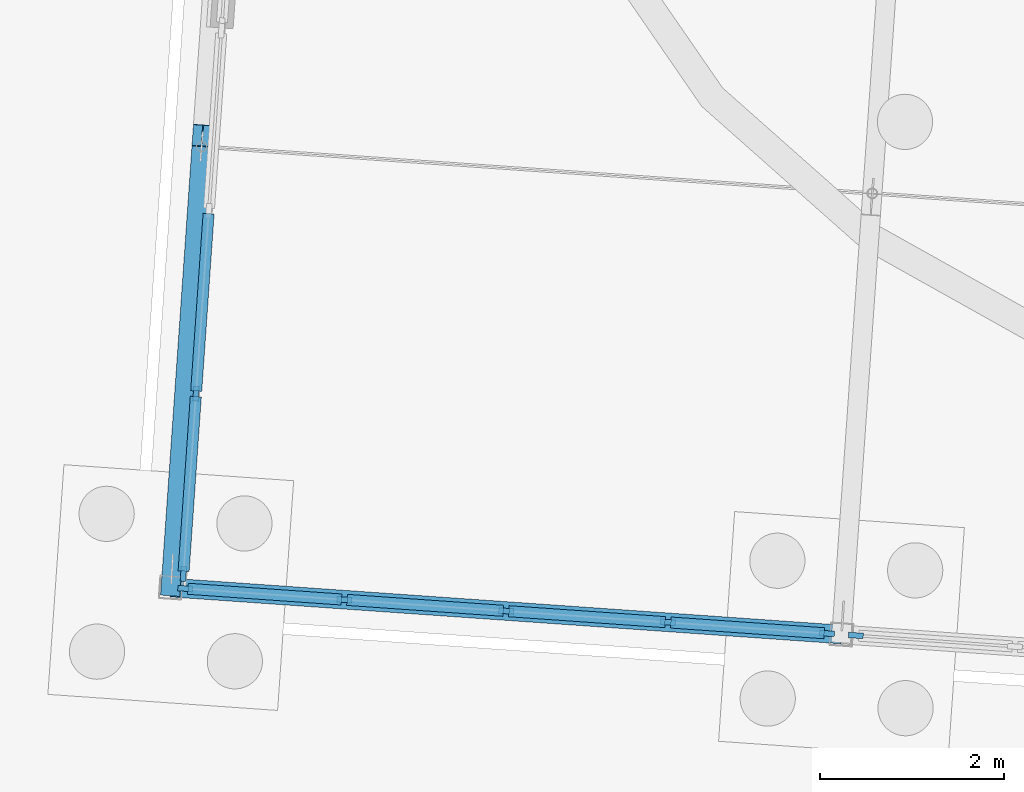
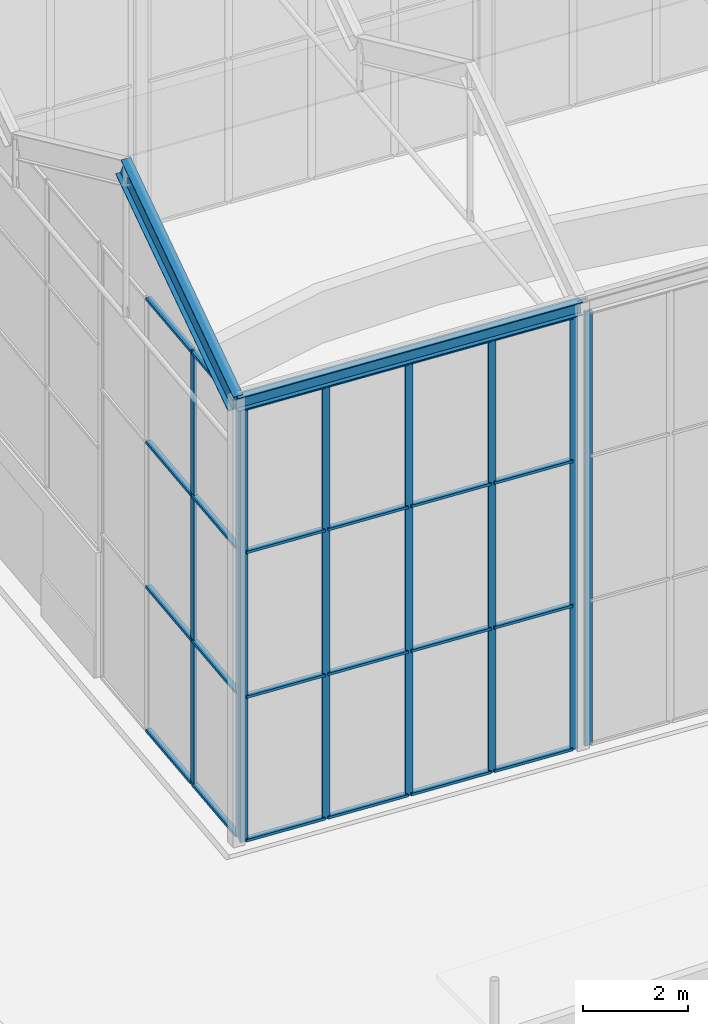
# One storey, part 35 of 157: 33 members, 1 beam, 3 elements without a shape of their own.
"""IFC4 building model written with IfcOpenShell, lengths in metres."""

from ifc_helpers import new_model, si_unit, direction, frame, origin, origin_2d, place, context, subcontext, project, spatial, rectangle, i_section, extrude, material, material_profile, profile_set, type_object, element, aggregate, save


model = new_model("IFC4")

# Units and contexts
model_context = context("Model", 3, precision=1e-05, world=origin(), true_north=direction((0.0, 1.0)))
body_context = subcontext(model_context, "Body", "Model", "MODEL_VIEW")
ifc_project = project(units=[si_unit("LENGTHUNIT", "METRE"), si_unit("AREAUNIT", "SQUARE_METRE"), si_unit("VOLUMEUNIT", "CUBIC_METRE"), si_unit("PLANEANGLEUNIT", "RADIAN"), si_unit("MASSUNIT", "GRAM", prefix="KILO")], contexts=[model_context])

# Site, building, storey
site_placement = place(None, origin())
site = spatial("IfcSite", under=ifc_project, at=site_placement, CompositionType="ELEMENT")
building_placement = place(site_placement, origin())
building = spatial("IfcBuilding", under=site, at=building_placement, Name="Windward Yard Aquatics Centre", CompositionType="ELEMENT")
storey_placement = place(building_placement, origin())
storey = spatial("IfcBuildingStorey", under=building, at=storey_placement, Name="L00", CompositionType="ELEMENT", Elevation=0.0)

# Curtain wall, members
ifc_material_1 = material(Name="Aluminium curtain wall system", Category="aluminium")
curtain_wall_type = type_object("IfcCurtainWallType", Name="W curtain wall 1900", PredefinedType="NOTDEFINED", material=ifc_material_1)
curtain_wall_1_placement = place(storey_placement, origin())
curtain_wall_1 = element("IfcCurtainWall", 1, at=curtain_wall_1_placement, inside=storey, type_object=curtain_wall_type, Name="Wing south glazing L00 4", PredefinedType="NOTDEFINED")
ifc_material_2 = material(Name="Aluminium mullion", Category="aluminium")
ifc_material_profile_1 = material_profile(ifc_material_2, rectangle(XDim=0.06005859375, YDim=0.159912109375, at=origin_2d()), Name="AL 60x160")
ifc_profile_set_1 = profile_set([ifc_material_profile_1], Name="Aluminium mullion")
member_type_1 = type_object("IfcMemberType", Name="W CW mullion 60x160", PredefinedType="MULLION", material=ifc_profile_set_1)
member_1_placement = place(storey_placement, frame((72.0078125, 119.372314453125, 0.0), z_axis=(0.0, 0.0, 1.0), x_axis=(0.069756251182, 0.997564065823, 0.0)))
member_1 = element("IfcMember", 2, at=member_1_placement, type_object=member_type_1, Name="WCW1 mullion 1", PredefinedType="MULLION", context=body_context, shape_type="SweptSolid", body=[
    extrude(rectangle(XDim=0.06005859375, YDim=0.159912109375, at=origin_2d()), origin(), (0.0, 0.0, 1.0), 10.097900390625),
])
member_2_placement = place(storey_placement, frame((73.735107421875, 119.25146484375, 0.0), z_axis=(0.0, 0.0, 1.0), x_axis=(0.069756251182, 0.997564065823, 0.0)))
member_2 = element("IfcMember", 3, at=member_2_placement, type_object=member_type_1, Name="WCW1 mullion 2", PredefinedType="MULLION", context=body_context, shape_type="SweptSolid", body=[
    extrude(rectangle(XDim=0.06005859375, YDim=0.159912109375, at=origin_2d()), origin(), (0.0, 0.0, 1.0), 10.097900390625),
])
member_3_placement = place(storey_placement, frame((75.4921875, 119.128662109375, 0.0), z_axis=(0.0, 0.0, 1.0), x_axis=(0.069756251182, 0.997564065823, 0.0)))
member_3 = element("IfcMember", 4, at=member_3_placement, type_object=member_type_1, Name="WCW1 mullion 3", PredefinedType="MULLION", context=body_context, shape_type="SweptSolid", body=[
    extrude(rectangle(XDim=0.06005859375, YDim=0.159912109375, at=origin_2d()), origin(), (0.0, 0.0, 1.0), 10.097900390625),
])
member_4_placement = place(storey_placement, frame((77.24951171875, 119.005859375, 0.0), z_axis=(0.0, 0.0, 1.0), x_axis=(0.069756251182, 0.997564065823, 0.0)))
member_4 = element("IfcMember", 5, at=member_4_placement, type_object=member_type_1, Name="WCW1 mullion 4", PredefinedType="MULLION", context=body_context, shape_type="SweptSolid", body=[
    extrude(rectangle(XDim=0.06005859375, YDim=0.159912109375, at=origin_2d()), origin(), (0.0, 0.0, 1.0), 10.097900390625),
])
member_5_placement = place(storey_placement, frame((78.976806640625, 118.885009765625, 0.0), z_axis=(0.0, 0.0, 1.0), x_axis=(0.069756251182, 0.997564065823, 0.0)))
member_5 = element("IfcMember", 6, at=member_5_placement, type_object=member_type_1, Name="WCW1 mullion 5", PredefinedType="MULLION", context=body_context, shape_type="SweptSolid", body=[
    extrude(rectangle(XDim=0.06005859375, YDim=0.159912109375, at=origin_2d()), origin(), (0.0, 0.0, 1.0), 10.097900390625),
])

# Curtain wall, member
curtain_wall_2_placement = place(storey_placement, origin())
curtain_wall_2 = element("IfcCurtainWall", 7, at=curtain_wall_2_placement, inside=storey, type_object=curtain_wall_type, Name="Wing south glazing L00 5", PredefinedType="NOTDEFINED")
member_6_placement = place(storey_placement, frame((79.2900390625, 118.863037109375, 0.0), z_axis=(0.0, 0.0, 1.0), x_axis=(0.069756251182, 0.997564065823, 0.0)))
member_6 = element("IfcMember", 8, at=member_6_placement, type_object=member_type_1, Name="WCW1 mullion 1", PredefinedType="MULLION", context=body_context, shape_type="SweptSolid", body=[
    extrude(rectangle(XDim=0.06005859375, YDim=0.159912109375, at=origin_2d()), origin(), (0.0, 0.0, 1.0), 10.097900390625),
])
aggregate(curtain_wall_2, [member_6])

# Curtain wall, members
curtain_wall_3_placement = place(storey_placement, origin())
curtain_wall_3 = element("IfcCurtainWall", 9, at=curtain_wall_3_placement, inside=storey, type_object=curtain_wall_type, Name="Wing west glazing L00 1", PredefinedType="NOTDEFINED")
member_7_placement = place(storey_placement, frame((71.98876953125, 119.531005859375, 0.0), z_axis=(0.0, 0.0, 1.0), x_axis=(-0.997563571522, 0.069763319677, 0.0)))
member_7 = element("IfcMember", 10, at=member_7_placement, type_object=member_type_1, Name="WCW1 mullion 1", PredefinedType="MULLION", context=body_context, shape_type="SweptSolid", body=[
    extrude(rectangle(XDim=0.06005859375, YDim=0.159912109375, at=origin_2d()), origin(), (0.0, 0.0, 1.0), 10.097900390625),
])
member_8_placement = place(storey_placement, frame((72.12548828125, 121.4873046875, 0.0), z_axis=(0.0, 0.0, 1.0), x_axis=(-0.997563571522, 0.069763319677, 0.0)))
member_8 = element("IfcMember", 11, at=member_8_placement, type_object=member_type_1, Name="WCW1 mullion 2", PredefinedType="MULLION", context=body_context, shape_type="SweptSolid", body=[
    extrude(rectangle(XDim=0.06005859375, YDim=0.159912109375, at=origin_2d()), origin(), (0.0, 0.0, 1.0), 10.097900390625),
])

# Member
ifc_material_3 = material(Name="Aluminium transom", Category="aluminium")
ifc_material_profile_2 = material_profile(ifc_material_3, rectangle(XDim=0.1201171875, YDim=0.06005859375, at=origin_2d()), Name="AL 120x60")
ifc_profile_set_2 = profile_set([ifc_material_profile_2], Name="Aluminium transom")
member_type_2 = type_object("IfcMemberType", Name="W CW transom 120x60", PredefinedType="USERDEFINED", material=ifc_profile_set_2)
member_9_placement = place(storey_placement, frame((72.037841796875, 119.3701171875, 0.030029296875), z_axis=(0.997569436802, -0.069679399818, 0.0), x_axis=(0.069679399818, 0.997569436802, 0.0)))
member_9 = element("IfcMember", 12, at=member_9_placement, type_object=member_type_2, Name="WCW1 transom 1.1", ObjectType="TRANSOM", PredefinedType="USERDEFINED", context=body_context, shape_type="SweptSolid", body=[
    extrude(rectangle(XDim=0.1201171875, YDim=0.06005859375, at=origin_2d()), origin(), (0.0, 0.0, 1.0), 1.67138671875),
])

member_10_placement = place(storey_placement, frame((72.037841796875, 119.3701171875, 3.365966796875), z_axis=(0.997569436802, -0.069679399818, 0.0), x_axis=(0.069679399818, 0.997569436802, 0.0)))
member_10 = element("IfcMember", 13, at=member_10_placement, type_object=member_type_2, Name="WCW1 transom 1.2", ObjectType="TRANSOM", PredefinedType="USERDEFINED", context=body_context, shape_type="SweptSolid", body=[
    extrude(rectangle(XDim=0.1201171875, YDim=0.06005859375, at=origin_2d()), origin(), (0.0, 0.0, 1.0), 1.67138671875),
])

member_11_placement = place(storey_placement, frame((72.037841796875, 119.3701171875, 6.73193359375), z_axis=(0.997569436802, -0.069679399818, 0.0), x_axis=(0.069679399818, 0.997569436802, 0.0)))
member_11 = element("IfcMember", 14, at=member_11_placement, type_object=member_type_2, Name="WCW1 transom 1.3", ObjectType="TRANSOM", PredefinedType="USERDEFINED", context=body_context, shape_type="SweptSolid", body=[
    extrude(rectangle(XDim=0.1201171875, YDim=0.06005859375, at=origin_2d()), origin(), (0.0, 0.0, 1.0), 1.67138671875),
])

member_12_placement = place(storey_placement, frame((72.037841796875, 119.3701171875, 10.068115234375), z_axis=(0.997569436802, -0.069679399818, 0.0), x_axis=(0.069679399818, 0.997569436802, 0.0)))
member_12 = element("IfcMember", 15, at=member_12_placement, type_object=member_type_2, Name="WCW1 transom 1.4", ObjectType="TRANSOM", PredefinedType="USERDEFINED", context=body_context, shape_type="SweptSolid", body=[
    extrude(rectangle(XDim=0.1201171875, YDim=0.06005859375, at=origin_2d()), origin(), (0.0, 0.0, 1.0), 1.67138671875),
])

member_13_placement = place(storey_placement, frame((73.76513671875, 119.24951171875, 0.030029296875), z_axis=(0.997565360109, -0.069737739501, 0.0), x_axis=(0.069737739501, 0.997565360109, 0.0)))
member_13 = element("IfcMember", 16, at=member_13_placement, type_object=member_type_2, Name="WCW1 transom 2.1", ObjectType="TRANSOM", PredefinedType="USERDEFINED", context=body_context, shape_type="SweptSolid", body=[
    extrude(rectangle(XDim=0.1201171875, YDim=0.06005859375, at=origin_2d()), origin(), (0.0, 0.0, 1.0), 1.701416015625),
])

member_14_placement = place(storey_placement, frame((73.76513671875, 119.24951171875, 3.365966796875), z_axis=(0.997565360109, -0.069737739501, 0.0), x_axis=(0.069737739501, 0.997565360109, 0.0)))
member_14 = element("IfcMember", 17, at=member_14_placement, type_object=member_type_2, Name="WCW1 transom 2.2", ObjectType="TRANSOM", PredefinedType="USERDEFINED", context=body_context, shape_type="SweptSolid", body=[
    extrude(rectangle(XDim=0.1201171875, YDim=0.06005859375, at=origin_2d()), origin(), (0.0, 0.0, 1.0), 1.701416015625),
])

member_15_placement = place(storey_placement, frame((73.76513671875, 119.24951171875, 6.73193359375), z_axis=(0.997565360109, -0.069737739501, 0.0), x_axis=(0.069737739501, 0.997565360109, 0.0)))
member_15 = element("IfcMember", 18, at=member_15_placement, type_object=member_type_2, Name="WCW1 transom 2.3", ObjectType="TRANSOM", PredefinedType="USERDEFINED", context=body_context, shape_type="SweptSolid", body=[
    extrude(rectangle(XDim=0.1201171875, YDim=0.06005859375, at=origin_2d()), origin(), (0.0, 0.0, 1.0), 1.701416015625),
])

member_16_placement = place(storey_placement, frame((73.76513671875, 119.24951171875, 10.068115234375), z_axis=(0.997565360109, -0.069737739501, 0.0), x_axis=(0.069737739501, 0.997565360109, 0.0)))
member_16 = element("IfcMember", 19, at=member_16_placement, type_object=member_type_2, Name="WCW1 transom 2.4", ObjectType="TRANSOM", PredefinedType="USERDEFINED", context=body_context, shape_type="SweptSolid", body=[
    extrude(rectangle(XDim=0.1201171875, YDim=0.06005859375, at=origin_2d()), origin(), (0.0, 0.0, 1.0), 1.701416015625),
])

member_17_placement = place(storey_placement, frame((75.522216796875, 119.12646484375, 0.030029296875), z_axis=(0.997565360109, -0.069737739501, 0.0), x_axis=(0.069737739501, 0.997565360109, 0.0)))
member_17 = element("IfcMember", 20, at=member_17_placement, type_object=member_type_2, Name="WCW1 transom 3.1", ObjectType="TRANSOM", PredefinedType="USERDEFINED", context=body_context, shape_type="SweptSolid", body=[
    extrude(rectangle(XDim=0.1201171875, YDim=0.06005859375, at=origin_2d()), origin(), (0.0, 0.0, 1.0), 1.701416015625),
])

member_18_placement = place(storey_placement, frame((75.522216796875, 119.12646484375, 3.365966796875), z_axis=(0.997565360109, -0.069737739501, 0.0), x_axis=(0.069737739501, 0.997565360109, 0.0)))
member_18 = element("IfcMember", 21, at=member_18_placement, type_object=member_type_2, Name="WCW1 transom 3.2", ObjectType="TRANSOM", PredefinedType="USERDEFINED", context=body_context, shape_type="SweptSolid", body=[
    extrude(rectangle(XDim=0.1201171875, YDim=0.06005859375, at=origin_2d()), origin(), (0.0, 0.0, 1.0), 1.701416015625),
])

member_19_placement = place(storey_placement, frame((75.522216796875, 119.12646484375, 6.73193359375), z_axis=(0.997565360109, -0.069737739501, 0.0), x_axis=(0.069737739501, 0.997565360109, 0.0)))
member_19 = element("IfcMember", 22, at=member_19_placement, type_object=member_type_2, Name="WCW1 transom 3.3", ObjectType="TRANSOM", PredefinedType="USERDEFINED", context=body_context, shape_type="SweptSolid", body=[
    extrude(rectangle(XDim=0.1201171875, YDim=0.06005859375, at=origin_2d()), origin(), (0.0, 0.0, 1.0), 1.701416015625),
])

member_20_placement = place(storey_placement, frame((75.522216796875, 119.12646484375, 10.068115234375), z_axis=(0.997565360109, -0.069737739501, 0.0), x_axis=(0.069737739501, 0.997565360109, 0.0)))
member_20 = element("IfcMember", 23, at=member_20_placement, type_object=member_type_2, Name="WCW1 transom 3.4", ObjectType="TRANSOM", PredefinedType="USERDEFINED", context=body_context, shape_type="SweptSolid", body=[
    extrude(rectangle(XDim=0.1201171875, YDim=0.06005859375, at=origin_2d()), origin(), (0.0, 0.0, 1.0), 1.701416015625),
])

member_21_placement = place(storey_placement, frame((77.279541015625, 119.003662109375, 0.030029296875), z_axis=(0.997569436802, -0.069679399818, 0.0), x_axis=(0.069679399818, 0.997569436802, 0.0)))
member_21 = element("IfcMember", 24, at=member_21_placement, type_object=member_type_2, Name="WCW1 transom 4.1", ObjectType="TRANSOM", PredefinedType="USERDEFINED", context=body_context, shape_type="SweptSolid", body=[
    extrude(rectangle(XDim=0.1201171875, YDim=0.06005859375, at=origin_2d()), origin(), (0.0, 0.0, 1.0), 1.67138671875),
])

member_22_placement = place(storey_placement, frame((77.279541015625, 119.003662109375, 3.365966796875), z_axis=(0.997569436802, -0.069679399818, 0.0), x_axis=(0.069679399818, 0.997569436802, 0.0)))
member_22 = element("IfcMember", 25, at=member_22_placement, type_object=member_type_2, Name="WCW1 transom 4.2", ObjectType="TRANSOM", PredefinedType="USERDEFINED", context=body_context, shape_type="SweptSolid", body=[
    extrude(rectangle(XDim=0.1201171875, YDim=0.06005859375, at=origin_2d()), origin(), (0.0, 0.0, 1.0), 1.67138671875),
])

member_23_placement = place(storey_placement, frame((77.279541015625, 119.003662109375, 6.73193359375), z_axis=(0.997569436802, -0.069679399818, 0.0), x_axis=(0.069679399818, 0.997569436802, 0.0)))
member_23 = element("IfcMember", 26, at=member_23_placement, type_object=member_type_2, Name="WCW1 transom 4.3", ObjectType="TRANSOM", PredefinedType="USERDEFINED", context=body_context, shape_type="SweptSolid", body=[
    extrude(rectangle(XDim=0.1201171875, YDim=0.06005859375, at=origin_2d()), origin(), (0.0, 0.0, 1.0), 1.67138671875),
])

member_24_placement = place(storey_placement, frame((77.279541015625, 119.003662109375, 10.068115234375), z_axis=(0.997569436802, -0.069679399818, 0.0), x_axis=(0.069679399818, 0.997569436802, 0.0)))
member_24 = element("IfcMember", 27, at=member_24_placement, type_object=member_type_2, Name="WCW1 transom 4.4", ObjectType="TRANSOM", PredefinedType="USERDEFINED", context=body_context, shape_type="SweptSolid", body=[
    extrude(rectangle(XDim=0.1201171875, YDim=0.06005859375, at=origin_2d()), origin(), (0.0, 0.0, 1.0), 1.67138671875),
])

aggregate(curtain_wall_1, [member_1, member_2, member_3, member_4, member_5, member_9, member_10, member_11, member_12, member_13, member_14, member_15, member_16, member_17, member_18, member_19, member_20, member_21, member_22, member_23, member_24])

member_25_placement = place(storey_placement, frame((71.990966796875, 119.56103515625, 0.030029296875), z_axis=(0.069740938471, 0.99756513647, 0.0), x_axis=(-0.99756513647, 0.069740938471, 0.0)))
member_25 = element("IfcMember", 28, at=member_25_placement, type_object=member_type_2, Name="WCW1 transom 1.1", ObjectType="TRANSOM", PredefinedType="USERDEFINED", context=body_context, shape_type="SweptSolid", body=[
    extrude(rectangle(XDim=0.1201171875, YDim=0.06005859375, at=origin_2d()), origin(), (0.0, 0.0, 1.0), 1.90087890625),
])

member_26_placement = place(storey_placement, frame((71.990966796875, 119.56103515625, 3.365966796875), z_axis=(0.069740938471, 0.99756513647, 0.0), x_axis=(-0.99756513647, 0.069740938471, 0.0)))
member_26 = element("IfcMember", 29, at=member_26_placement, type_object=member_type_2, Name="WCW1 transom 1.2", ObjectType="TRANSOM", PredefinedType="USERDEFINED", context=body_context, shape_type="SweptSolid", body=[
    extrude(rectangle(XDim=0.1201171875, YDim=0.06005859375, at=origin_2d()), origin(), (0.0, 0.0, 1.0), 1.90087890625),
])

member_27_placement = place(storey_placement, frame((71.990966796875, 119.56103515625, 6.73193359375), z_axis=(0.069740938471, 0.99756513647, 0.0), x_axis=(-0.99756513647, 0.069740938471, 0.0)))
member_27 = element("IfcMember", 30, at=member_27_placement, type_object=member_type_2, Name="WCW1 transom 1.3", ObjectType="TRANSOM", PredefinedType="USERDEFINED", context=body_context, shape_type="SweptSolid", body=[
    extrude(rectangle(XDim=0.1201171875, YDim=0.06005859375, at=origin_2d()), origin(), (0.0, 0.0, 1.0), 1.90087890625),
])

member_28_placement = place(storey_placement, frame((71.990966796875, 119.56103515625, 10.068115234375), z_axis=(0.069740938471, 0.99756513647, 0.0), x_axis=(-0.99756513647, 0.069740938471, 0.0)))
member_28 = element("IfcMember", 31, at=member_28_placement, type_object=member_type_2, Name="WCW1 transom 1.4", ObjectType="TRANSOM", PredefinedType="USERDEFINED", context=body_context, shape_type="SweptSolid", body=[
    extrude(rectangle(XDim=0.1201171875, YDim=0.06005859375, at=origin_2d()), origin(), (0.0, 0.0, 1.0), 1.90087890625),
])

member_29_placement = place(storey_placement, frame((72.127685546875, 121.51708984375, 0.030029296875), z_axis=(0.069782581145, 0.997562224309, 0.0), x_axis=(-0.997562224309, 0.069782581145, 0.0)))
member_29 = element("IfcMember", 32, at=member_29_placement, type_object=member_type_2, Name="WCW1 transom 2.1", ObjectType="TRANSOM", PredefinedType="USERDEFINED", context=body_context, shape_type="SweptSolid", body=[
    extrude(rectangle(XDim=0.1201171875, YDim=0.06005859375, at=origin_2d()), origin(), (0.0, 0.0, 1.0), 1.93115234375),
])

member_30_placement = place(storey_placement, frame((72.127685546875, 121.51708984375, 3.365966796875), z_axis=(0.069782581145, 0.997562224309, 0.0), x_axis=(-0.997562224309, 0.069782581145, 0.0)))
member_30 = element("IfcMember", 33, at=member_30_placement, type_object=member_type_2, Name="WCW1 transom 2.2", ObjectType="TRANSOM", PredefinedType="USERDEFINED", context=body_context, shape_type="SweptSolid", body=[
    extrude(rectangle(XDim=0.1201171875, YDim=0.06005859375, at=origin_2d()), origin(), (0.0, 0.0, 1.0), 1.93115234375),
])

member_31_placement = place(storey_placement, frame((72.127685546875, 121.51708984375, 6.73193359375), z_axis=(0.069782581145, 0.997562224309, 0.0), x_axis=(-0.997562224309, 0.069782581145, 0.0)))
member_31 = element("IfcMember", 34, at=member_31_placement, type_object=member_type_2, Name="WCW1 transom 2.3", ObjectType="TRANSOM", PredefinedType="USERDEFINED", context=body_context, shape_type="SweptSolid", body=[
    extrude(rectangle(XDim=0.1201171875, YDim=0.06005859375, at=origin_2d()), origin(), (0.0, 0.0, 1.0), 1.93115234375),
])

member_32_placement = place(storey_placement, frame((72.127685546875, 121.51708984375, 10.068115234375), z_axis=(0.069782581145, 0.997562224309, 0.0), x_axis=(-0.997562224309, 0.069782581145, 0.0)))
member_32 = element("IfcMember", 35, at=member_32_placement, type_object=member_type_2, Name="WCW1 transom 2.4", ObjectType="TRANSOM", PredefinedType="USERDEFINED", context=body_context, shape_type="SweptSolid", body=[
    extrude(rectangle(XDim=0.1201171875, YDim=0.06005859375, at=origin_2d()), origin(), (0.0, 0.0, 1.0), 1.93115234375),
])

aggregate(curtain_wall_3, [member_7, member_8, member_25, member_26, member_27, member_28, member_29, member_30, member_31, member_32])

# Beam
ifc_material_4 = material(Name="Steel S355", Category="steel")
ifc_material_profile_3 = material_profile(ifc_material_4, i_section(OverallWidth=0.202880859375, OverallDepth=0.302001953125, WebThickness=0.007568359375, FlangeThickness=0.01318359375, at=origin_2d()), Name="W310x60")
ifc_profile_set_3 = profile_set([ifc_material_profile_3], Name="Steel S355")
beam_type = type_object("IfcBeamType", Name="W W310x60 beam", PredefinedType="BEAM", material=ifc_profile_set_3)
beam_placement = place(storey_placement, frame((71.851318359375, 119.38330078125, 10.2490234375), z_axis=(0.997563368353, -0.069766224776, 0.0), x_axis=(0.069766224776, 0.997563368353, 0.0)))
element("IfcBeam", 36, at=beam_placement, inside=storey, type_object=beam_type, Name="W.HEB.S.1", PredefinedType="BEAM", context=body_context, shape_type="SweptSolid", body=[
    extrude(i_section(OverallWidth=0.202880859375, OverallDepth=0.302001953125, WebThickness=0.007568359375, FlangeThickness=0.01318359375, at=origin_2d()), origin(), (0.0, 0.0, 1.0), 7.2998046875),
])

# Member
ifc_material_profile_4 = material_profile(ifc_material_4, i_section(OverallWidth=0.208984375, OverallDepth=0.532958984375, WebThickness=0.01025390625, FlangeThickness=0.015625, at=origin_2d()), Name="W530x92")
ifc_profile_set_4 = profile_set([ifc_material_profile_4], Name="Steel S355")
member_type_3 = type_object("IfcMemberType", Name="W W530x92 rafter", PredefinedType="RAFTER", material=ifc_profile_set_4)
member_33_placement = place(storey_placement, frame((71.853271484375, 119.4130859375, 10.216796875), z_axis=(0.062391425024, 0.892237572744, 0.447235311516), x_axis=(-0.997564042786, 0.069756580627, 0.0)))
element("IfcMember", 37, at=member_33_placement, inside=storey, type_object=member_type_3, Name="W.RAF.1.1", PredefinedType="RAFTER", context=body_context, shape_type="SweptSolid", body=[
    extrude(i_section(OverallWidth=0.208984375, OverallDepth=0.532958984375, WebThickness=0.01025390625, FlangeThickness=0.015625, at=origin_2d()), origin(), (0.0, 0.0, 1.0), 5.466552734375),
])

save(model, "model.ifc")
